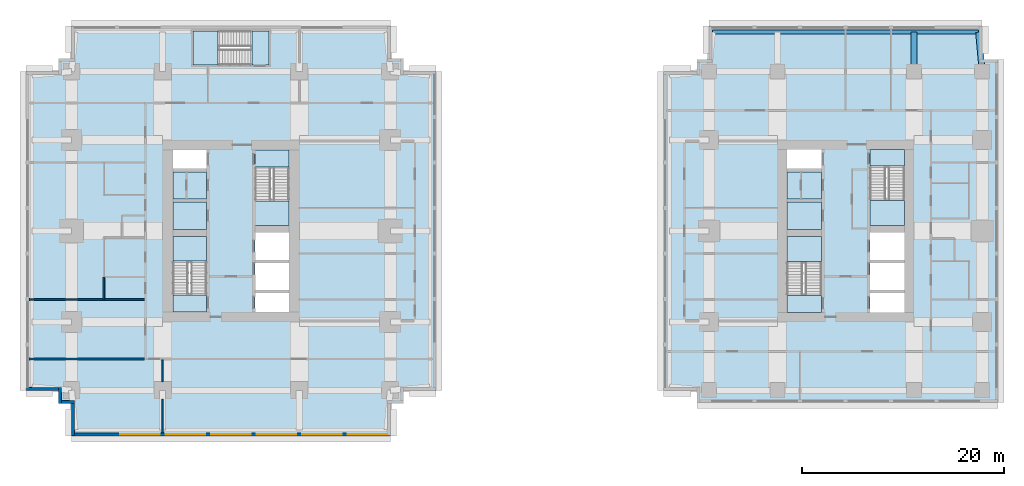
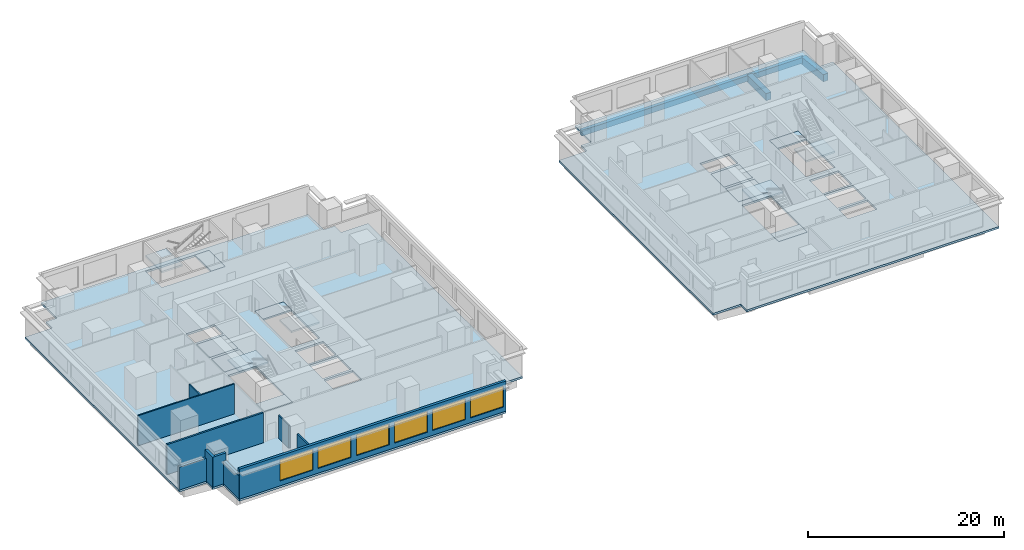
# One storey, part 2 of 10: 16 slabs, 10 walls, 6 windows, 3 beams, 6 openings, 5 elements without a shape of their own.
"""IFC4 building model written with IfcOpenShell, lengths in metres."""

from ifc_helpers import new_model, si_unit, direction, frame, frame_2d, origin, origin_2d, place, context, subcontext, project, spatial, polyline, rectangle, outline, extrude, material, layer, layer_set, material_profile, profile_set, type_object, element, fill, aggregate, save


model = new_model("IFC4")

# Units and contexts
model_context = context("Model", 3, precision=1e-05, world=origin(), true_north=direction((0.0, 1.0)))
body_context = subcontext(model_context, "Body", "Model", "MODEL_VIEW")
ifc_project = project(units=[si_unit("LENGTHUNIT", "METRE"), si_unit("AREAUNIT", "SQUARE_METRE"), si_unit("VOLUMEUNIT", "CUBIC_METRE"), si_unit("PLANEANGLEUNIT", "RADIAN"), si_unit("MASSUNIT", "GRAM", prefix="KILO")], contexts=[model_context])

# Site, building, storey
site_placement = place(None, origin())
site = spatial("IfcSite", under=ifc_project, at=site_placement, CompositionType="ELEMENT")
building_placement = place(site_placement, origin())
building = spatial("IfcBuilding", under=site, at=building_placement, Name="Namib Vertical Campus", CompositionType="ELEMENT")
storey_placement = place(building_placement, frame((0.0, 0.0, 157.0)))
storey = spatial("IfcBuildingStorey", under=building, at=storey_placement, Name="L37", CompositionType="ELEMENT", Elevation=157.0)

# Beams
ifc_material_1 = material(Name="Concrete C40/50", Category="concrete")
ifc_material_profile_1 = material_profile(ifc_material_1, rectangle(XDim=0.60009765625, YDim=0.89990234375, at=origin_2d()))
ifc_profile_set_1 = profile_set([ifc_material_profile_1], Name="Concrete C40/50")
beam_type_1 = type_object("IfcBeamType", Name="Cantilever girder RC 600x900", PredefinedType="BEAM", material=ifc_profile_set_1)
beam_1_placement = place(storey_placement, frame((87.75, 36.0, -0.699951171875), z_axis=(0.0, 1.0, 0.0), x_axis=(-1.0, 0.0, 0.0)))
element("IfcBeam", 1, at=beam_1_placement, inside=storey, type_object=beam_type_1, Name="Beam B3 L37", PredefinedType="BEAM", context=body_context, shape_type="SweptSolid", body=[
    extrude(rectangle(XDim=0.60009765625, YDim=0.89990234375, at=origin_2d()), origin(), (0.0, 0.0, 1.0), 3.89990234375),
])
beam_2_placement = place(storey_placement, frame((94.5, 36.0, -0.699951171875), z_axis=(-0.089411326146, 0.995994786511, 0.0), x_axis=(-0.995994786511, -0.089411326146, 0.0)))
element("IfcBeam", 2, at=beam_2_placement, inside=storey, type_object=beam_type_1, Name="Beam B3 L37", PredefinedType="BEAM", context=body_context, shape_type="SweptSolid", body=[
    extrude(rectangle(XDim=0.60009765625, YDim=0.89990234375, at=origin_2d()), origin(), (0.0, 0.0, 1.0), 3.91552734375),
])
ifc_material_2 = material(Name="Concrete C40/50", Category="concrete")
ifc_material_profile_2 = material_profile(ifc_material_2, rectangle(XDim=0.39990234375, YDim=0.699951171875, at=origin_2d()))
ifc_profile_set_2 = profile_set([ifc_material_profile_2], Name="Concrete C40/50")
beam_type_2 = type_object("IfcBeamType", Name="Edge beam RC 400x700", PredefinedType="SPANDREL", material=ifc_profile_set_2)
beam_3_placement = place(storey_placement, frame((67.85009765625, 39.89990234375, -0.60009765625), z_axis=(1.0, 0.0, 0.0), x_axis=(0.0, 1.0, 0.0)))
element("IfcBeam", 3, at=beam_3_placement, inside=storey, type_object=beam_type_2, Name="Beam B4 L37", PredefinedType="SPANDREL", context=body_context, shape_type="SweptSolid", body=[
    extrude(rectangle(XDim=0.39990234375, YDim=0.699951171875, at=origin_2d()), origin(), (0.0, 0.0, 1.0), 26.2998046875),
])

# Slabs
ifc_material_3 = material(Name="Concrete C40/50", Category="concrete")
ifc_layer_1 = layer(ifc_material_3, 0.25)
ifc_layer_set_1 = layer_set([ifc_layer_1], Name="Concrete C40/50")
slab_type_1 = type_object("IfcSlabType", Name="Floor slab 250", PredefinedType="FLOOR", material=ifc_layer_set_1)
slab_1_placement = place(storey_placement, frame((0.0, 0.0, -0.25)))
element("IfcSlab", 4, at=slab_1_placement, inside=storey, type_object=slab_type_1, Name="Floor slab A L37", PredefinedType="FLOOR", context=body_context, shape_type="SweptSolid", body=[
    extrude(outline(polyline([(4.5, 0.0), (36.0, 0.0), (36.0, 3.199951171875), (37.300048828125, 3.199951171875), (37.300048828125, 4.5), (40.5, 4.5), (40.5, 36.0), (37.300048828125, 36.0), (37.300048828125, 37.300048828125), (36.0, 37.300048828125), (36.0, 40.5), (4.5, 40.5), (4.5, 37.300048828125), (3.199951171875, 37.300048828125), (3.199951171875, 36.0), (0.0, 36.0), (0.0, 4.5), (3.199951171875, 4.5), (3.199951171875, 3.199951171875), (4.5, 3.199951171875), (4.5, 0.0)]), holes=[polyline([(14.5, 12.25), (17.85009765625, 12.25), (17.85009765625, 19.699951171875), (14.5, 19.699951171875), (14.5, 12.25)]), polyline([(22.64990234375, 20.800048828125), (26.0, 20.800048828125), (26.0, 28.25), (22.64990234375, 28.25), (22.64990234375, 20.800048828125)]), polyline([(22.64990234375, 12.25), (26.0, 12.25), (26.0, 14.10009765625), (22.64990234375, 14.10009765625), (22.64990234375, 12.25)]), polyline([(14.5, 20.39990234375), (17.85009765625, 20.39990234375), (17.85009765625, 23.10009765625), (14.5, 23.10009765625), (14.5, 20.39990234375)]), polyline([(14.5, 23.39990234375), (17.85009765625, 23.39990234375), (17.85009765625, 26.10009765625), (14.5, 26.10009765625), (14.5, 23.39990234375)]), polyline([(14.5, 26.39990234375), (17.85009765625, 26.39990234375), (17.85009765625, 28.25), (14.5, 28.25), (14.5, 26.39990234375)]), polyline([(22.64990234375, 14.39990234375), (26.0, 14.39990234375), (26.0, 17.10009765625), (22.64990234375, 17.10009765625), (22.64990234375, 14.39990234375)]), polyline([(22.64990234375, 17.39990234375), (26.0, 17.39990234375), (26.0, 20.10009765625), (22.64990234375, 20.10009765625), (22.64990234375, 17.39990234375)]), polyline([(16.5, 36.64990234375), (24.0, 36.64990234375), (24.0, 40.0), (16.5, 40.0), (16.5, 36.64990234375)])]), origin(), (0.0, 0.0, 1.0), 0.25),
])
slab_2_placement = place(storey_placement, frame((0.0, 0.0, -0.25)))
element("IfcSlab", 5, at=slab_2_placement, inside=storey, type_object=slab_type_1, Name="Floor slab B L37", PredefinedType="FLOOR", context=body_context, shape_type="SweptSolid", body=[
    extrude(outline(polyline([(63.0, 4.5), (66.300048828125, 4.5), (66.300048828125, 3.300048828125), (96.050048828125, 3.300048828125), (96.050048828125, 37.199951171875), (94.5, 37.199951171875), (94.5, 40.5), (67.5, 40.5), (67.5, 37.199951171875), (66.300048828125, 37.199951171875), (66.300048828125, 36.0), (63.0, 36.0), (63.0, 4.5)]), holes=[polyline([(75.199951171875, 12.199951171875), (78.60009765625, 12.199951171875), (78.60009765625, 19.699951171875), (75.199951171875, 19.699951171875), (75.199951171875, 12.199951171875)]), polyline([(83.39990234375, 20.800048828125), (86.800048828125, 20.800048828125), (86.800048828125, 28.300048828125), (83.39990234375, 28.300048828125), (83.39990234375, 20.800048828125)]), polyline([(83.39990234375, 12.199951171875), (86.800048828125, 12.199951171875), (86.800048828125, 14.10009765625), (83.39990234375, 14.10009765625), (83.39990234375, 12.199951171875)]), polyline([(75.199951171875, 20.39990234375), (78.60009765625, 20.39990234375), (78.60009765625, 23.10009765625), (75.199951171875, 23.10009765625), (75.199951171875, 20.39990234375)]), polyline([(75.199951171875, 23.39990234375), (78.60009765625, 23.39990234375), (78.60009765625, 26.10009765625), (75.199951171875, 26.10009765625), (75.199951171875, 23.39990234375)]), polyline([(75.199951171875, 26.39990234375), (78.60009765625, 26.39990234375), (78.60009765625, 28.300048828125), (75.199951171875, 28.300048828125), (75.199951171875, 26.39990234375)]), polyline([(83.39990234375, 14.39990234375), (86.800048828125, 14.39990234375), (86.800048828125, 17.10009765625), (83.39990234375, 17.10009765625), (83.39990234375, 14.39990234375)]), polyline([(83.39990234375, 17.39990234375), (86.800048828125, 17.39990234375), (86.800048828125, 20.10009765625), (83.39990234375, 20.10009765625), (83.39990234375, 17.39990234375)])]), origin(), (0.0, 0.0, 1.0), 0.25),
])
ifc_material_4 = material(Name="Concrete C40/50 precast", Category="concrete")
ifc_layer_2 = layer(ifc_material_4, 0.25)
ifc_layer_set_2 = layer_set([ifc_layer_2], Name="Concrete C40/50 precast")
slab_type_2 = type_object("IfcSlabType", Name="Shaft infill floor 250", PredefinedType="FLOOR", material=ifc_layer_set_2)
slab_3_placement = place(storey_placement, frame((0.0, 0.0, -0.25)))
element("IfcSlab", 6, at=slab_3_placement, inside=storey, type_object=slab_type_2, Name="Shaft infill floor A L37 P1", PredefinedType="FLOOR", context=body_context, shape_type="SweptSolid", body=[
    extrude(outline(polyline([(14.5, 20.39990234375), (17.85009765625, 20.39990234375), (17.85009765625, 23.10009765625), (14.5, 23.10009765625), (14.5, 20.39990234375)])), origin(), (0.0, 0.0, 1.0), 0.25),
])
slab_4_placement = place(storey_placement, frame((0.0, 0.0, -0.25)))
element("IfcSlab", 7, at=slab_4_placement, inside=storey, type_object=slab_type_2, Name="Shaft infill floor A L37 P2", PredefinedType="FLOOR", context=body_context, shape_type="SweptSolid", body=[
    extrude(outline(polyline([(14.5, 23.39990234375), (17.85009765625, 23.39990234375), (17.85009765625, 26.10009765625), (14.5, 26.10009765625), (14.5, 23.39990234375)])), origin(), (0.0, 0.0, 1.0), 0.25),
])
slab_5_placement = place(storey_placement, frame((0.0, 0.0, -0.25)))
element("IfcSlab", 8, at=slab_5_placement, inside=storey, type_object=slab_type_2, Name="Shaft infill floor B L37 P1", PredefinedType="FLOOR", context=body_context, shape_type="SweptSolid", body=[
    extrude(outline(polyline([(75.199951171875, 20.39990234375), (78.60009765625, 20.39990234375), (78.60009765625, 23.10009765625), (75.199951171875, 23.10009765625), (75.199951171875, 20.39990234375)])), origin(), (0.0, 0.0, 1.0), 0.25),
])
slab_6_placement = place(storey_placement, frame((0.0, 0.0, -0.25)))
element("IfcSlab", 9, at=slab_6_placement, inside=storey, type_object=slab_type_2, Name="Shaft infill floor B L37 P2", PredefinedType="FLOOR", context=body_context, shape_type="SweptSolid", body=[
    extrude(outline(polyline([(75.199951171875, 23.39990234375), (78.60009765625, 23.39990234375), (78.60009765625, 26.10009765625), (75.199951171875, 26.10009765625), (75.199951171875, 23.39990234375)])), origin(), (0.0, 0.0, 1.0), 0.25),
])

# Stair, slabs
ifc_material_5 = material(Name="Concrete C40/50 precast", Category="concrete")
stair_type_1 = type_object("IfcStairType", Name="Exit stair 4000 rise 24 risers 3350 wide", PredefinedType="HALF_TURN_STAIR", material=ifc_material_5)
stair_1_placement = place(storey_placement, origin())
stair_1 = element("IfcStair", 10, at=stair_1_placement, inside=storey, type_object=stair_type_1, Name="Exit stair A-S1 L37", PredefinedType="HALF_TURN_STAIR")
ifc_material_6 = material(Name="Concrete C40/50", Category="concrete")
ifc_layer_3 = layer(ifc_material_6, 0.199951171875)
ifc_layer_set_3 = layer_set([ifc_layer_3], Name="Concrete C40/50")
slab_type_3 = type_object("IfcSlabType", Name="Stair landing 200", PredefinedType="LANDING", material=ifc_layer_set_3)
slab_7_placement = place(storey_placement, frame((0.0, 0.0, -0.199951171875)))
slab_7 = element("IfcSlab", 11, at=slab_7_placement, type_object=slab_type_3, Name="A-S1 landing 1", PredefinedType="LANDING", context=body_context, shape_type="SweptSolid", body=[
    extrude(outline(polyline([(14.5, 12.25), (17.85009765625, 12.25), (17.85009765625, 13.90380859375), (14.5, 13.90380859375), (14.5, 12.25)])), origin(), (0.0, 0.0, 1.0), 0.199951171875),
])
slab_8_placement = place(storey_placement, frame((0.0, 0.0, 1.800048828125)))
slab_8 = element("IfcSlab", 12, at=slab_8_placement, type_object=slab_type_3, Name="A-S1 landing 2", PredefinedType="LANDING", context=body_context, shape_type="SweptSolid", body=[
    extrude(outline(polyline([(14.5, 17.276123046875), (17.85009765625, 17.276123046875), (17.85009765625, 19.699951171875), (14.5, 19.699951171875), (14.5, 17.276123046875)])), origin(), (0.0, 0.0, 1.0), 0.199951171875),
])
aggregate(stair_1, [slab_7, slab_8])

stair_2_placement = place(storey_placement, origin())
stair_2 = element("IfcStair", 13, at=stair_2_placement, inside=storey, type_object=stair_type_1, Name="Exit stair A-S2 L37", PredefinedType="HALF_TURN_STAIR")
slab_9_placement = place(storey_placement, frame((0.0, 0.0, -0.199951171875)))
slab_9 = element("IfcSlab", 14, at=slab_9_placement, type_object=slab_type_3, Name="A-S2 landing 1", PredefinedType="LANDING", context=body_context, shape_type="SweptSolid", body=[
    extrude(outline(polyline([(22.64990234375, 26.59619140625), (26.0, 26.59619140625), (26.0, 28.25), (22.64990234375, 28.25), (22.64990234375, 26.59619140625)])), origin(), (0.0, 0.0, 1.0), 0.199951171875),
])
slab_10_placement = place(storey_placement, frame((0.0, 0.0, 1.800048828125)))
slab_10 = element("IfcSlab", 15, at=slab_10_placement, type_object=slab_type_3, Name="A-S2 landing 2", PredefinedType="LANDING", context=body_context, shape_type="SweptSolid", body=[
    extrude(outline(polyline([(22.64990234375, 20.800048828125), (26.0, 20.800048828125), (26.0, 23.223876953125), (22.64990234375, 23.223876953125), (22.64990234375, 20.800048828125)])), origin(), (0.0, 0.0, 1.0), 0.199951171875),
])
aggregate(stair_2, [slab_9, slab_10])

ifc_material_7 = material(Name="Concrete C40/50 precast", Category="concrete")
stair_type_2 = type_object("IfcStairType", Name="Exit stair 4000 rise 24 risers 3400 wide", PredefinedType="HALF_TURN_STAIR", material=ifc_material_7)
stair_3_placement = place(storey_placement, origin())
stair_3 = element("IfcStair", 16, at=stair_3_placement, inside=storey, type_object=stair_type_2, Name="Exit stair B-S1 L37", PredefinedType="HALF_TURN_STAIR")
slab_11_placement = place(storey_placement, frame((0.0, 0.0, -0.199951171875)))
slab_11 = element("IfcSlab", 17, at=slab_11_placement, type_object=slab_type_3, Name="B-S1 landing 1", PredefinedType="LANDING", context=body_context, shape_type="SweptSolid", body=[
    extrude(outline(polyline([(75.199951171875, 12.199951171875), (78.60009765625, 12.199951171875), (78.60009765625, 13.85400390625), (75.199951171875, 13.85400390625), (75.199951171875, 12.199951171875)])), origin(), (0.0, 0.0, 1.0), 0.199951171875),
])
slab_12_placement = place(storey_placement, frame((0.0, 0.0, 1.800048828125)))
slab_12 = element("IfcSlab", 18, at=slab_12_placement, type_object=slab_type_3, Name="B-S1 landing 2", PredefinedType="LANDING", context=body_context, shape_type="SweptSolid", body=[
    extrude(outline(polyline([(75.199951171875, 17.22607421875), (78.60009765625, 17.22607421875), (78.60009765625, 19.699951171875), (75.199951171875, 19.699951171875), (75.199951171875, 17.22607421875)])), origin(), (0.0, 0.0, 1.0), 0.199951171875),
])
aggregate(stair_3, [slab_11, slab_12])

stair_4_placement = place(storey_placement, origin())
stair_4 = element("IfcStair", 19, at=stair_4_placement, inside=storey, type_object=stair_type_2, Name="Exit stair B-S2 L37", PredefinedType="HALF_TURN_STAIR")
slab_13_placement = place(storey_placement, frame((0.0, 0.0, -0.199951171875)))
slab_13 = element("IfcSlab", 20, at=slab_13_placement, type_object=slab_type_3, Name="B-S2 landing 1", PredefinedType="LANDING", context=body_context, shape_type="SweptSolid", body=[
    extrude(outline(polyline([(83.39990234375, 26.64599609375), (86.800048828125, 26.64599609375), (86.800048828125, 28.300048828125), (83.39990234375, 28.300048828125), (83.39990234375, 26.64599609375)])), origin(), (0.0, 0.0, 1.0), 0.199951171875),
])
slab_14_placement = place(storey_placement, frame((0.0, 0.0, 1.800048828125)))
slab_14 = element("IfcSlab", 21, at=slab_14_placement, type_object=slab_type_3, Name="B-S2 landing 2", PredefinedType="LANDING", context=body_context, shape_type="SweptSolid", body=[
    extrude(outline(polyline([(83.39990234375, 20.800048828125), (86.800048828125, 20.800048828125), (86.800048828125, 23.27392578125), (83.39990234375, 23.27392578125), (83.39990234375, 20.800048828125)])), origin(), (0.0, 0.0, 1.0), 0.199951171875),
])
aggregate(stair_4, [slab_13, slab_14])

stair_5_placement = place(storey_placement, origin())
stair_5 = element("IfcStair", 22, at=stair_5_placement, inside=storey, type_object=stair_type_1, Name="Exit stair A-S3 L37", PredefinedType="HALF_TURN_STAIR")
slab_15_placement = place(storey_placement, frame((0.0, 0.0, -0.199951171875)))
slab_15 = element("IfcSlab", 23, at=slab_15_placement, type_object=slab_type_3, Name="A-S3 landing 1", PredefinedType="LANDING", context=body_context, shape_type="SweptSolid", body=[
    extrude(outline(polyline([(22.34619140625, 36.64990234375), (22.34619140625, 40.0), (24.0, 40.0), (24.0, 36.64990234375), (22.34619140625, 36.64990234375)])), origin(), (0.0, 0.0, 1.0), 0.199951171875),
])
slab_16_placement = place(storey_placement, frame((0.0, 0.0, 1.800048828125)))
slab_16 = element("IfcSlab", 24, at=slab_16_placement, type_object=slab_type_3, Name="A-S3 landing 2", PredefinedType="LANDING", context=body_context, shape_type="SweptSolid", body=[
    extrude(outline(polyline([(16.5, 36.64990234375), (16.5, 40.0), (18.973876953125, 40.0), (18.973876953125, 36.64990234375), (16.5, 36.64990234375)])), origin(), (0.0, 0.0, 1.0), 0.199951171875),
])
aggregate(stair_5, [slab_15, slab_16])

# Wall
ifc_material_8 = material(Name="Concrete masonry", Category="masonry")
ifc_layer_4 = layer(ifc_material_8, 0.199951171875)
ifc_layer_set_4 = layer_set([ifc_layer_4], Name="Corridor wall 200")
wall_type_1 = type_object("IfcWallType", Name="Corridor wall 200", PredefinedType="SOLIDWALL", material=ifc_layer_set_4)
wall_1_placement = place(storey_placement, frame((0.300048828125, 7.60009765625, 0.0), z_axis=(0.0, 0.0, 1.0), x_axis=(1.0, 0.0, 0.0)))
element("IfcWall", 25, at=wall_1_placement, inside=storey, type_object=wall_type_1, Name="Partition A L37 BSW", PredefinedType="SOLIDWALL", context=body_context, shape_type="SweptSolid", body=[
    extrude(rectangle(XDim=11.39990234375, YDim=0.199951171875, at=frame_2d((5.699951171875, 0.0))), origin(), (0.0, 0.0, 1.0), 3.75),
])

# Wall, openings, windows
ifc_material_9 = material(Name="Concrete C40/50", Category="concrete")
ifc_layer_5 = layer(ifc_material_9, 0.300048828125)
ifc_layer_set_5 = layer_set([ifc_layer_5], Name="Concrete C40/50")
wall_type_2 = type_object("IfcWallType", Name="External wall 300 board-marked concrete", PredefinedType="STANDARD", material=ifc_layer_set_5)
wall_2_placement = place(storey_placement, frame((4.52001953125, 0.14990234375, 0.0), z_axis=(0.0, 0.0, 1.0), x_axis=(1.0, 0.0, 0.0)))
wall_2 = element("IfcWall", 26, at=wall_2_placement, inside=storey, type_object=wall_type_2, Name="External wall L37 F01", PredefinedType="STANDARD", context=body_context, shape_type="SweptSolid", body=[
    extrude(rectangle(XDim=31.4599609375, YDim=0.300048828125, at=frame_2d((15.72998046875, 0.0))), origin(), (0.0, 0.0, 1.0), 3.75),
])
opening_1_placement = place(wall_2_placement, frame((4.780029296875, 0.0, 0.60009765625)))
opening_1 = element("IfcOpeningElement", 27, at=opening_1_placement, cuts=wall_2, Name="Opening W2", PredefinedType="OPENING", context=body_context, shape_type="SweptSolid", body=[
    extrude(rectangle(XDim=3.89990234375, YDim=2.60009765625, at=frame_2d((1.949951171875, 1.300048828125))), frame((0.0, 0.159912109375, 0.0), z_axis=(0.0, -1.0, 0.0), x_axis=(1.0, 0.0, 0.0)), (0.0, 0.0, 1.0), 0.320068359375),
])
opening_2_placement = place(wall_2_placement, frame((9.280029296875, 0.0, 0.60009765625)))
opening_2 = element("IfcOpeningElement", 28, at=opening_2_placement, cuts=wall_2, Name="Opening W2", PredefinedType="OPENING", context=body_context, shape_type="SweptSolid", body=[
    extrude(rectangle(XDim=3.89990234375, YDim=2.60009765625, at=frame_2d((1.949951171875, 1.300048828125))), frame((0.0, 0.159912109375, 0.0), z_axis=(0.0, -1.0, 0.0), x_axis=(1.0, 0.0, 0.0)), (0.0, 0.0, 1.0), 0.320068359375),
])
opening_3_placement = place(wall_2_placement, frame((13.780029296875, 0.0, 0.60009765625)))
opening_3 = element("IfcOpeningElement", 29, at=opening_3_placement, cuts=wall_2, Name="Opening W2", PredefinedType="OPENING", context=body_context, shape_type="SweptSolid", body=[
    extrude(rectangle(XDim=3.89990234375, YDim=2.60009765625, at=frame_2d((1.949951171875, 1.300048828125))), frame((0.0, 0.159912109375, 0.0), z_axis=(0.0, -1.0, 0.0), x_axis=(1.0, 0.0, 0.0)), (0.0, 0.0, 1.0), 0.320068359375),
])
opening_4_placement = place(wall_2_placement, frame((18.280029296875, 0.0, 0.60009765625)))
opening_4 = element("IfcOpeningElement", 30, at=opening_4_placement, cuts=wall_2, Name="Opening W2", PredefinedType="OPENING", context=body_context, shape_type="SweptSolid", body=[
    extrude(rectangle(XDim=3.89990234375, YDim=2.60009765625, at=frame_2d((1.949951171875, 1.300048828125))), frame((0.0, 0.159912109375, 0.0), z_axis=(0.0, -1.0, 0.0), x_axis=(1.0, 0.0, 0.0)), (0.0, 0.0, 1.0), 0.320068359375),
])
opening_5_placement = place(wall_2_placement, frame((22.780029296875, 0.0, 0.60009765625)))
opening_5 = element("IfcOpeningElement", 31, at=opening_5_placement, cuts=wall_2, Name="Opening W2", PredefinedType="OPENING", context=body_context, shape_type="SweptSolid", body=[
    extrude(rectangle(XDim=3.89990234375, YDim=2.60009765625, at=frame_2d((1.949951171875, 1.300048828125))), frame((0.0, 0.159912109375, 0.0), z_axis=(0.0, -1.0, 0.0), x_axis=(1.0, 0.0, 0.0)), (0.0, 0.0, 1.0), 0.320068359375),
])
opening_6_placement = place(wall_2_placement, frame((27.280029296875, 0.0, 0.60009765625)))
opening_6 = element("IfcOpeningElement", 32, at=opening_6_placement, cuts=wall_2, Name="Opening W2", PredefinedType="OPENING", context=body_context, shape_type="SweptSolid", body=[
    extrude(rectangle(XDim=3.89990234375, YDim=2.60009765625, at=frame_2d((1.949951171875, 1.300048828125))), frame((0.0, 0.159912109375, 0.0), z_axis=(0.0, -1.0, 0.0), x_axis=(1.0, 0.0, 0.0)), (0.0, 0.0, 1.0), 0.320068359375),
])
ifc_material_10 = material(Name="Dark tinted glass in black aluminium frame", Category="aluminium")
window_type = type_object("IfcWindowType", Name="Ribbon window 3900x2600", PartitioningType="SINGLE_PANEL", PredefinedType="WINDOW", material=ifc_material_10)
window_1_placement = place(opening_1_placement, origin())
window_1 = element("IfcWindow", 33, at=window_1_placement, inside=storey, type_object=window_type, Name="Window W2 L37 F01-2", OverallHeight=2.60009765625, OverallWidth=3.89990234375, PartitioningType="SINGLE_PANEL", PredefinedType="WINDOW", context=body_context, shape_type="SweptSolid", body=[
    extrude(rectangle(XDim=3.89990234375, YDim=2.60009765625, at=frame_2d((1.949951171875, 1.300048828125))), frame((0.0, 0.030029296875, 0.0), z_axis=(0.0, -1.0, 0.0), x_axis=(1.0, 0.0, 0.0)), (0.0, 0.0, 1.0), 0.06005859375),
])
fill(opening_1, window_1)
window_2_placement = place(opening_2_placement, origin())
window_2 = element("IfcWindow", 34, at=window_2_placement, inside=storey, type_object=window_type, Name="Window W2 L37 F01-3", OverallHeight=2.60009765625, OverallWidth=3.89990234375, PartitioningType="SINGLE_PANEL", PredefinedType="WINDOW", context=body_context, shape_type="SweptSolid", body=[
    extrude(rectangle(XDim=3.89990234375, YDim=2.60009765625, at=frame_2d((1.949951171875, 1.300048828125))), frame((0.0, 0.030029296875, 0.0), z_axis=(0.0, -1.0, 0.0), x_axis=(1.0, 0.0, 0.0)), (0.0, 0.0, 1.0), 0.06005859375),
])
fill(opening_2, window_2)
window_3_placement = place(opening_3_placement, origin())
window_3 = element("IfcWindow", 35, at=window_3_placement, inside=storey, type_object=window_type, Name="Window W2 L37 F01-4", OverallHeight=2.60009765625, OverallWidth=3.89990234375, PartitioningType="SINGLE_PANEL", PredefinedType="WINDOW", context=body_context, shape_type="SweptSolid", body=[
    extrude(rectangle(XDim=3.89990234375, YDim=2.60009765625, at=frame_2d((1.949951171875, 1.300048828125))), frame((0.0, 0.030029296875, 0.0), z_axis=(0.0, -1.0, 0.0), x_axis=(1.0, 0.0, 0.0)), (0.0, 0.0, 1.0), 0.06005859375),
])
fill(opening_3, window_3)
window_4_placement = place(opening_4_placement, origin())
window_4 = element("IfcWindow", 36, at=window_4_placement, inside=storey, type_object=window_type, Name="Window W2 L37 F01-5", OverallHeight=2.60009765625, OverallWidth=3.89990234375, PartitioningType="SINGLE_PANEL", PredefinedType="WINDOW", context=body_context, shape_type="SweptSolid", body=[
    extrude(rectangle(XDim=3.89990234375, YDim=2.60009765625, at=frame_2d((1.949951171875, 1.300048828125))), frame((0.0, 0.030029296875, 0.0), z_axis=(0.0, -1.0, 0.0), x_axis=(1.0, 0.0, 0.0)), (0.0, 0.0, 1.0), 0.06005859375),
])
fill(opening_4, window_4)
window_5_placement = place(opening_5_placement, origin())
window_5 = element("IfcWindow", 37, at=window_5_placement, inside=storey, type_object=window_type, Name="Window W2 L37 F01-6", OverallHeight=2.60009765625, OverallWidth=3.89990234375, PartitioningType="SINGLE_PANEL", PredefinedType="WINDOW", context=body_context, shape_type="SweptSolid", body=[
    extrude(rectangle(XDim=3.89990234375, YDim=2.60009765625, at=frame_2d((1.949951171875, 1.300048828125))), frame((0.0, 0.030029296875, 0.0), z_axis=(0.0, -1.0, 0.0), x_axis=(1.0, 0.0, 0.0)), (0.0, 0.0, 1.0), 0.06005859375),
])
fill(opening_5, window_5)
window_6_placement = place(opening_6_placement, origin())
window_6 = element("IfcWindow", 38, at=window_6_placement, inside=storey, type_object=window_type, Name="Window W2 L37 F01-7", OverallHeight=2.60009765625, OverallWidth=3.89990234375, PartitioningType="SINGLE_PANEL", PredefinedType="WINDOW", context=body_context, shape_type="SweptSolid", body=[
    extrude(rectangle(XDim=3.89990234375, YDim=2.60009765625, at=frame_2d((1.949951171875, 1.300048828125))), frame((0.0, 0.030029296875, 0.0), z_axis=(0.0, -1.0, 0.0), x_axis=(1.0, 0.0, 0.0)), (0.0, 0.0, 1.0), 0.06005859375),
])
fill(opening_6, window_6)

# Walls
wall_3_placement = place(storey_placement, frame((0.02001953125, 4.64990234375, 0.0), z_axis=(0.0, 0.0, 1.0), x_axis=(1.0, 0.0, 0.0)))
element("IfcWall", 39, at=wall_3_placement, inside=storey, type_object=wall_type_2, Name="External wall L37 F17", PredefinedType="STANDARD", context=body_context, shape_type="SweptSolid", body=[
    extrude(rectangle(XDim=3.4599609375, YDim=0.300048828125, at=frame_2d((1.72998046875, 0.0))), origin(), (0.0, 0.0, 1.0), 2.85009765625),
])
for number, where, z_axis, x_axis, name in (
    (40, (3.35009765625, 4.780029296875, 0.0), (0.0, 0.0, 1.0), (0.0, -1.0, 0.0), "External wall L37 F18"),
    (41, (3.219970703125, 3.35009765625, 0.0), (0.0, 0.0, 1.0), (1.0, 0.0, 0.0), "External wall L37 F19"),
):
    element("IfcWall", number, at=place(storey_placement, frame(where, z_axis=z_axis, x_axis=x_axis)), inside=storey, type_object=wall_type_2, Name=name, PredefinedType="STANDARD", context=body_context, shape_type="SweptSolid", body=[
        extrude(rectangle(XDim=1.56005859375, YDim=0.300048828125, at=frame_2d((0.780029296875, 0.0))), origin(), (0.0, 0.0, 1.0), 3.75),
    ])
wall_4_placement = place(storey_placement, frame((4.64990234375, 3.47998046875, 0.0), z_axis=(0.0, 0.0, 1.0), x_axis=(0.0, -1.0, 0.0)))
element("IfcWall", 42, at=wall_4_placement, inside=storey, type_object=wall_type_2, Name="External wall L37 F20", PredefinedType="STANDARD", context=body_context, shape_type="SweptSolid", body=[
    extrude(rectangle(XDim=3.4599609375, YDim=0.300048828125, at=frame_2d((1.72998046875, 0.0))), origin(), (0.0, 0.0, 1.0), 2.85009765625),
])
ifc_material_11 = material(Name="Gypsum board on steel studs", Category="steel")
ifc_layer_6 = layer(ifc_material_11, 0.14990234375)
ifc_layer_set_6 = layer_set([ifc_layer_6], Name="Gypsum board on steel studs")
wall_type_3 = type_object("IfcWallType", Name="Partition 150", PredefinedType="PARTITIONING", material=ifc_layer_set_6)
wall_5_placement = place(storey_placement, frame((13.5, 0.300048828125, 0.0), z_axis=(0.0, 0.0, 1.0), x_axis=(0.0, 1.0, 0.0)))
element("IfcWall", 43, at=wall_5_placement, inside=storey, type_object=wall_type_3, Name="Partition A L37 PS1", PredefinedType="PARTITIONING", context=body_context, shape_type="SweptSolid", body=[
    extrude(rectangle(XDim=3.329833984375, YDim=0.14990234375, at=frame_2d((1.6650390625, 0.0))), origin(), (0.0, 0.0, 1.0), 2.85009765625),
])
wall_6_placement = place(storey_placement, frame((13.5, 5.3701171875, 0.0), z_axis=(0.0, 0.0, 1.0), x_axis=(0.0, 1.0, 0.0)))
element("IfcWall", 44, at=wall_6_placement, inside=storey, type_object=wall_type_3, Name="Partition A L37 PS1", PredefinedType="PARTITIONING", context=body_context, shape_type="SweptSolid", body=[
    extrude(rectangle(XDim=2.1298828125, YDim=0.14990234375, at=frame_2d((1.06494140625, 0.0))), origin(), (0.0, 0.0, 1.0), 2.85009765625),
])
wall_7_placement = place(storey_placement, frame((0.300048828125, 13.5, 0.0), z_axis=(0.0, 0.0, 1.0), x_axis=(1.0, 0.0, 0.0)))
element("IfcWall", 45, at=wall_7_placement, inside=storey, type_object=wall_type_3, Name="Partition A L37 PW1", PredefinedType="PARTITIONING", context=body_context, shape_type="SweptSolid", body=[
    extrude(rectangle(XDim=11.39990234375, YDim=0.14990234375, at=frame_2d((5.699951171875, 0.0))), origin(), (0.0, 0.0, 1.0), 3.75),
])
wall_8_placement = place(storey_placement, frame((7.699951171875, 13.5, 0.0), z_axis=(0.0, 0.0, 1.0), x_axis=(0.0, 1.0, 0.0)))
element("IfcWall", 46, at=wall_8_placement, inside=storey, type_object=wall_type_3, Name="Partition A L37 WB1", PredefinedType="PARTITIONING", context=body_context, shape_type="SweptSolid", body=[
    extrude(rectangle(XDim=2.199951171875, YDim=0.14990234375, at=frame_2d((1.10009765625, 0.0))), origin(), (0.0, 0.0, 1.0), 3.75),
])

save(model, "model.ifc")
